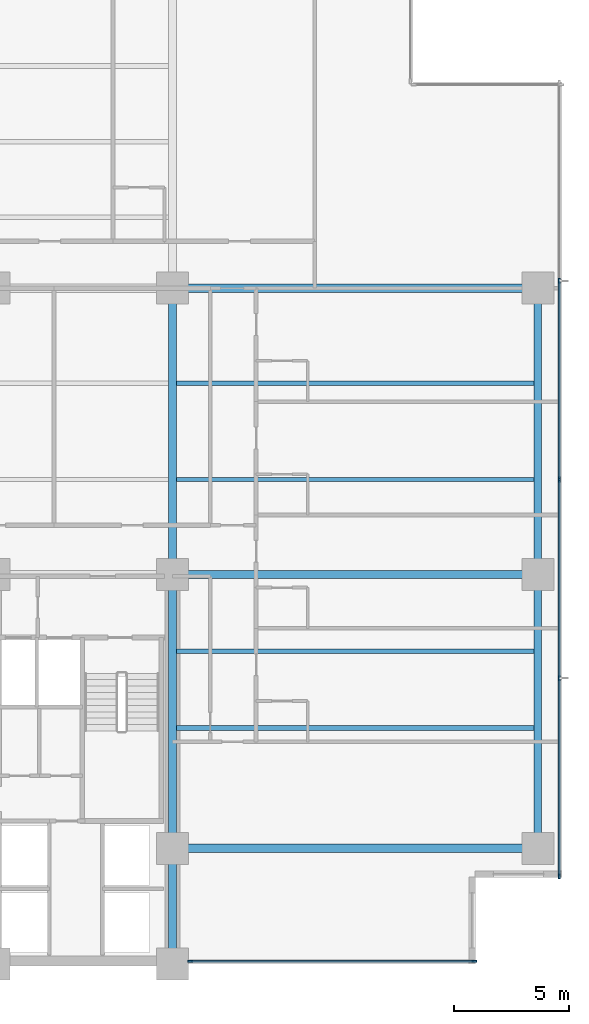
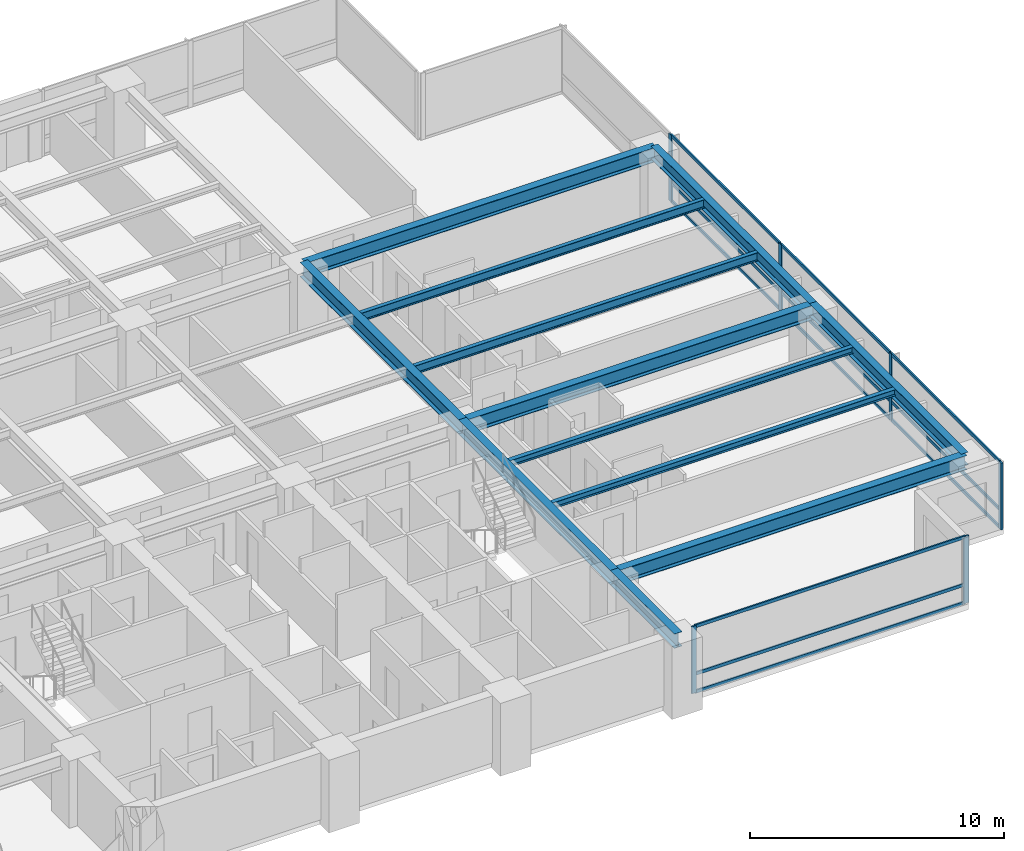
# One storey, part 3 of 17: 18 members, 12 beams, 2 elements without a shape of their own.
"""IFC4 building model written with IfcOpenShell, lengths in metres."""

from ifc_helpers import new_model, si_unit, direction, frame, origin, origin_2d, place, context, subcontext, project, spatial, rectangle, i_section, extrude, material, layer, layer_set, material_profile, profile_set, type_object, element, aggregate, save


model = new_model("IFC4")

# Units and contexts
model_context = context("Model", 3, precision=1e-05, world=origin(), true_north=direction((0.0, 1.0)))
body_context = subcontext(model_context, "Body", "Model", "MODEL_VIEW")
ifc_project = project(units=[si_unit("LENGTHUNIT", "METRE"), si_unit("AREAUNIT", "SQUARE_METRE"), si_unit("VOLUMEUNIT", "CUBIC_METRE"), si_unit("PLANEANGLEUNIT", "RADIAN"), si_unit("MASSUNIT", "GRAM", prefix="KILO")], contexts=[model_context])

# Site, building, storey
site_placement = place(None, origin())
site = spatial("IfcSite", under=ifc_project, at=site_placement, CompositionType="ELEMENT")
building_placement = place(site_placement, origin())
building = spatial("IfcBuilding", under=site, at=building_placement, Name="Qalmaran Belvedere Hotel", CompositionType="ELEMENT")
storey_placement = place(building_placement, frame((0.0, 0.0, 40.39990234375)))
storey = spatial("IfcBuildingStorey", under=building, at=storey_placement, Name="L09", CompositionType="ELEMENT", Elevation=40.39990234375)

# Beams
ifc_material_1 = material(Name="Steel S355JR", Category="steel")
ifc_material_profile_1 = material_profile(ifc_material_1, i_section(OverallWidth=0.202880859375, OverallDepth=0.302978515625, WebThickness=0.007568359375, FlangeThickness=0.01318359375, FilletRadius=0.012939453125, at=origin_2d()), Name="W310X60")
ifc_profile_set_1 = profile_set([ifc_material_profile_1], Name="Steel S355JR")
beam_type_1 = type_object("IfcBeamType", Name="BM-JST-W310X60", PredefinedType="JOIST", material=ifc_profile_set_1)
for number, where, z_axis, x_axis, name in (
    (1, (44.9755859375, 13.800048828125, 3.068603515625), (1.0, 0.0, 0.0), (0.0, 1.0, 0.0), "L09 East Wing Joist 039"),
    (2, (44.9755859375, 17.14990234375, 3.068603515625), (1.0, 0.0, 0.0), (0.0, 1.0, 0.0), "L09 East Wing Joist 041"),
):
    element("IfcBeam", number, at=place(storey_placement, frame(where, z_axis=z_axis, x_axis=x_axis)), inside=storey, type_object=beam_type_1, Name=name, PredefinedType="JOIST", context=body_context, shape_type="SweptSolid", body=[
        extrude(i_section(OverallWidth=0.202880859375, OverallDepth=0.302978515625, WebThickness=0.007568359375, FlangeThickness=0.01318359375, FilletRadius=0.012939453125, at=origin_2d()), origin(), (0.0, 0.0, 1.0), 15.61279296875),
    ])
ifc_material_profile_2 = material_profile(ifc_material_1, i_section(OverallWidth=0.180908203125, OverallDepth=0.4169921875, WebThickness=0.010986328125, FlangeThickness=0.018310546875, FilletRadius=0.014892578125, at=origin_2d()), Name="W410X85")
ifc_profile_set_2 = profile_set([ifc_material_profile_2], Name="Steel S355JR")
beam_type_2 = type_object("IfcBeamType", Name="BM-SB1-W410X85", PredefinedType="BEAM", material=ifc_profile_set_2)
for number, where, z_axis, x_axis, name in (
    (3, (44.9755859375, 24.64990234375, 3.01171875), (1.0, 0.0, 0.0), (0.0, 1.0, 0.0), "L09 East Secondary Beam 032"),
    (4, (44.9755859375, 28.85009765625, 3.01171875), (1.0, 0.0, 0.0), (0.0, 1.0, 0.0), "L09 East Secondary Beam 037"),
):
    element("IfcBeam", number, at=place(storey_placement, frame(where, z_axis=z_axis, x_axis=x_axis)), inside=storey, type_object=beam_type_2, Name=name, PredefinedType="BEAM", context=body_context, shape_type="SweptSolid", body=[
        extrude(i_section(OverallWidth=0.180908203125, OverallDepth=0.4169921875, WebThickness=0.010986328125, FlangeThickness=0.018310546875, FilletRadius=0.014892578125, at=origin_2d()), origin(), (0.0, 0.0, 1.0), 15.61279296875),
    ])
ifc_material_profile_3 = material_profile(ifc_material_1, i_section(OverallWidth=0.326904296875, OverallDepth=0.6220703125, WebThickness=0.015380859375, FlangeThickness=0.0244140625, FilletRadius=0.02001953125, at=origin_2d()), Name="W610X195")
ifc_profile_set_3 = profile_set([ifc_material_profile_3], Name="Steel S355JR")
beam_type_3 = type_object("IfcBeamType", Name="BM-SP1-W610X195", PredefinedType="SPANDREL", material=ifc_profile_set_3)
beam_1_placement = place(storey_placement, frame((60.75, 8.550048828125, 2.9091796875), z_axis=(0.0, 1.0, 0.0), x_axis=(-1.0, 0.0, 0.0)))
element("IfcBeam", 5, at=beam_1_placement, inside=storey, type_object=beam_type_3, Name="L09 Perimeter Spandrel 03", PredefinedType="SPANDREL", context=body_context, shape_type="SweptSolid", body=[
    extrude(i_section(OverallWidth=0.326904296875, OverallDepth=0.6220703125, WebThickness=0.015380859375, FlangeThickness=0.0244140625, FilletRadius=0.02001953125, at=origin_2d()), origin(), (0.0, 0.0, 1.0), 11.949951171875),
])
beam_2_placement = place(storey_placement, frame((60.75, 20.5, 2.9091796875), z_axis=(0.0, 1.0, 0.0), x_axis=(-1.0, 0.0, 0.0)))
element("IfcBeam", 6, at=beam_2_placement, inside=storey, type_object=beam_type_3, Name="L09 Perimeter Spandrel 04", PredefinedType="SPANDREL", context=body_context, shape_type="SweptSolid", body=[
    extrude(i_section(OverallWidth=0.326904296875, OverallDepth=0.6220703125, WebThickness=0.015380859375, FlangeThickness=0.0244140625, FilletRadius=0.02001953125, at=origin_2d()), origin(), (0.0, 0.0, 1.0), 12.5),
])
ifc_material_profile_4 = material_profile(ifc_material_1, i_section(OverallWidth=0.35498046875, OverallDepth=0.695068359375, WebThickness=0.015380859375, FlangeThickness=0.02490234375, FilletRadius=0.02197265625, at=origin_2d()), Name="W690X217")
ifc_profile_set_4 = profile_set([ifc_material_profile_4], Name="Steel S355JR")
beam_type_4 = type_object("IfcBeamType", Name="BM-Z1-W690X217", PredefinedType="USERDEFINED", material=ifc_profile_set_4)
beam_3_placement = place(storey_placement, frame((44.800048828125, 20.5, 2.87255859375), z_axis=(0.0, 1.0, 0.0), x_axis=(-1.0, 0.0, 0.0)))
element("IfcBeam", 7, at=beam_3_placement, inside=storey, type_object=beam_type_4, Name="L09 Mid-Plate N-S Girder 20", ObjectType="GIRDER", PredefinedType="USERDEFINED", context=body_context, shape_type="SweptSolid", body=[
    extrude(i_section(OverallWidth=0.35498046875, OverallDepth=0.695068359375, WebThickness=0.015380859375, FlangeThickness=0.02490234375, FilletRadius=0.02197265625, at=origin_2d()), origin(), (0.0, 0.0, 1.0), 12.5),
])
beam_4_placement = place(storey_placement, frame((44.800048828125, 3.5, 2.87255859375), z_axis=(0.0, 1.0, 0.0), x_axis=(-1.0, 0.0, 0.0)))
element("IfcBeam", 8, at=beam_4_placement, inside=storey, type_object=beam_type_4, Name="L09 East Core Edge Girder A", ObjectType="GIRDER", PredefinedType="USERDEFINED", context=body_context, shape_type="SweptSolid", body=[
    extrude(i_section(OverallWidth=0.35498046875, OverallDepth=0.695068359375, WebThickness=0.015380859375, FlangeThickness=0.02490234375, FilletRadius=0.02197265625, at=origin_2d()), origin(), (0.0, 0.0, 1.0), 5.050048828125),
])
beam_5_placement = place(storey_placement, frame((44.800048828125, 8.550048828125, 2.87255859375), z_axis=(0.0, 1.0, 0.0), x_axis=(-1.0, 0.0, 0.0)))
element("IfcBeam", 9, at=beam_5_placement, inside=storey, type_object=beam_type_4, Name="L09 East Core Edge Girder B", ObjectType="GIRDER", PredefinedType="USERDEFINED", context=body_context, shape_type="SweptSolid", body=[
    extrude(i_section(OverallWidth=0.35498046875, OverallDepth=0.695068359375, WebThickness=0.015380859375, FlangeThickness=0.02490234375, FilletRadius=0.02197265625, at=origin_2d()), origin(), (0.0, 0.0, 1.0), 11.949951171875),
])
for number, where, z_axis, x_axis, name in (
    (10, (44.800048828125, 8.550048828125, 2.87255859375), (1.0, 0.0, 0.0), (0.0, 1.0, 0.0), "L09 East Wing Girder 25"),
    (11, (44.800048828125, 20.5, 2.87255859375), (1.0, 0.0, 0.0), (0.0, 1.0, 0.0), "L09 East Wing Girder 26"),
    (12, (44.800048828125, 33.0, 2.87255859375), (1.0, 0.0, 0.0), (0.0, 1.0, 0.0), "L09 East Wing Girder 27"),
):
    element("IfcBeam", number, at=place(storey_placement, frame(where, z_axis=z_axis, x_axis=x_axis)), inside=storey, type_object=beam_type_4, Name=name, ObjectType="GIRDER", PredefinedType="USERDEFINED", context=body_context, shape_type="SweptSolid", body=[
        extrude(i_section(OverallWidth=0.35498046875, OverallDepth=0.695068359375, WebThickness=0.015380859375, FlangeThickness=0.02490234375, FilletRadius=0.02197265625, at=origin_2d()), origin(), (0.0, 0.0, 1.0), 15.949951171875),
    ])

# Curtain wall, members
ifc_material_2 = material(Name="Anodised Bronze Aluminium", Category="aluminium")
ifc_layer = layer(ifc_material_2, 0.2099609375, Name="Anodised Bronze Aluminium")
ifc_layer_set = layer_set([ifc_layer], Name="Anodised Bronze Aluminium")
curtain_wall_type = type_object("IfcCurtainWallType", Name="CW2-TOWER-LOWER", PredefinedType="NOTDEFINED", material=ifc_layer_set)
curtain_wall_1_placement = place(storey_placement, origin())
curtain_wall_1 = element("IfcCurtainWall", 13, at=curtain_wall_1_placement, inside=storey, type_object=curtain_wall_type, Name="L09 Curtain Wall CW2", PredefinedType="NOTDEFINED")
ifc_material_profile_5 = material_profile(ifc_material_2, rectangle(XDim=0.074951171875, YDim=0.219970703125, at=origin_2d()), Name="CWM75X220")
ifc_profile_set_5 = profile_set([ifc_material_profile_5], Name="Anodised Bronze Aluminium")
member_type_1 = type_object("IfcMemberType", Name="CWM-75X220", PredefinedType="MULLION", material=ifc_profile_set_5)
member_1_placement = place(storey_placement, frame((45.577392578125, 3.6201171875, 0.0), z_axis=(0.0, 0.0, 1.0), x_axis=(0.0, 1.0, 0.0)))
member_1 = element("IfcMember", 14, at=member_1_placement, type_object=member_type_1, Name="CW2 mullion 1", PredefinedType="MULLION", context=body_context, shape_type="SweptSolid", body=[
    extrude(rectangle(XDim=0.074951171875, YDim=0.219970703125, at=origin_2d()), origin(), (0.0, 0.0, 1.0), 3.22021484375),
])
member_2_placement = place(storey_placement, frame((57.96240234375, 3.6201171875, 0.0), z_axis=(0.0, 0.0, 1.0), x_axis=(0.0, 1.0, 0.0)))
member_2 = element("IfcMember", 15, at=member_2_placement, type_object=member_type_1, Name="CW2 mullion 2", PredefinedType="MULLION", context=body_context, shape_type="SweptSolid", body=[
    extrude(rectangle(XDim=0.074951171875, YDim=0.219970703125, at=origin_2d()), origin(), (0.0, 0.0, 1.0), 3.22021484375),
])

curtain_wall_2_placement = place(storey_placement, origin())
curtain_wall_2 = element("IfcCurtainWall", 16, at=curtain_wall_2_placement, inside=storey, type_object=curtain_wall_type, Name="L09 Curtain Wall CW2", PredefinedType="NOTDEFINED")
member_3_placement = place(storey_placement, frame((61.679931640625, 7.33740234375, 0.0), z_axis=(0.0, 0.0, 1.0), x_axis=(-1.0, 0.0, 0.0)))
member_3 = element("IfcMember", 17, at=member_3_placement, type_object=member_type_1, Name="CW2 mullion 1", PredefinedType="MULLION", context=body_context, shape_type="SweptSolid", body=[
    extrude(rectangle(XDim=0.074951171875, YDim=0.219970703125, at=origin_2d()), origin(), (0.0, 0.0, 1.0), 3.22021484375),
])
member_4_placement = place(storey_placement, frame((61.679931640625, 15.97509765625, 0.0), z_axis=(0.0, 0.0, 1.0), x_axis=(-1.0, 0.0, 0.0)))
member_4 = element("IfcMember", 18, at=member_4_placement, type_object=member_type_1, Name="CW2 mullion 2", PredefinedType="MULLION", context=body_context, shape_type="SweptSolid", body=[
    extrude(rectangle(XDim=0.074951171875, YDim=0.219970703125, at=origin_2d()), origin(), (0.0, 0.0, 1.0), 3.22021484375),
])
member_5_placement = place(storey_placement, frame((61.679931640625, 24.64990234375, 0.0), z_axis=(0.0, 0.0, 1.0), x_axis=(-1.0, 0.0, 0.0)))
member_5 = element("IfcMember", 19, at=member_5_placement, type_object=member_type_1, Name="CW2 mullion 3", PredefinedType="MULLION", context=body_context, shape_type="SweptSolid", body=[
    extrude(rectangle(XDim=0.074951171875, YDim=0.219970703125, at=origin_2d()), origin(), (0.0, 0.0, 1.0), 3.22021484375),
])
member_6_placement = place(storey_placement, frame((61.679931640625, 33.324951171875, 0.0), z_axis=(0.0, 0.0, 1.0), x_axis=(-1.0, 0.0, 0.0)))
member_6 = element("IfcMember", 20, at=member_6_placement, type_object=member_type_1, Name="CW2 mullion 4", PredefinedType="MULLION", context=body_context, shape_type="SweptSolid", body=[
    extrude(rectangle(XDim=0.074951171875, YDim=0.219970703125, at=origin_2d()), origin(), (0.0, 0.0, 1.0), 3.22021484375),
])

# Member
ifc_material_profile_6 = material_profile(ifc_material_2, rectangle(XDim=0.070068359375, YDim=0.14990234375, at=origin_2d()), Name="CWT70X150")
ifc_profile_set_6 = profile_set([ifc_material_profile_6], Name="Anodised Bronze Aluminium")
member_type_2 = type_object("IfcMemberType", Name="CWT-70X150", PredefinedType="USERDEFINED", material=ifc_profile_set_6)
member_7_placement = place(storey_placement, frame((45.614990234375, 3.6201171875, 0.03515625), z_axis=(1.0, 0.0, 0.0), x_axis=(0.0, 1.0, 0.0)))
member_7 = element("IfcMember", 21, at=member_7_placement, type_object=member_type_2, Name="CW2 transom 1.1", ObjectType="TRANSOM", PredefinedType="USERDEFINED", context=body_context, shape_type="SweptSolid", body=[
    extrude(rectangle(XDim=0.070068359375, YDim=0.14990234375, at=origin_2d()), origin(), (0.0, 0.0, 1.0), 12.31005859375),
])

member_8_placement = place(storey_placement, frame((45.614990234375, 3.6201171875, 0.901611328125), z_axis=(1.0, 0.0, 0.0), x_axis=(0.0, 1.0, 0.0)))
member_8 = element("IfcMember", 22, at=member_8_placement, type_object=member_type_2, Name="CW2 transom 1.2", ObjectType="TRANSOM", PredefinedType="USERDEFINED", context=body_context, shape_type="SweptSolid", body=[
    extrude(rectangle(XDim=0.070068359375, YDim=0.14990234375, at=origin_2d()), origin(), (0.0, 0.0, 1.0), 12.31005859375),
])

member_9_placement = place(storey_placement, frame((45.614990234375, 3.6201171875, 3.18505859375), z_axis=(1.0, 0.0, 0.0), x_axis=(0.0, 1.0, 0.0)))
member_9 = element("IfcMember", 23, at=member_9_placement, type_object=member_type_2, Name="CW2 transom 1.3", ObjectType="TRANSOM", PredefinedType="USERDEFINED", context=body_context, shape_type="SweptSolid", body=[
    extrude(rectangle(XDim=0.070068359375, YDim=0.14990234375, at=origin_2d()), origin(), (0.0, 0.0, 1.0), 12.31005859375),
])

aggregate(curtain_wall_1, [member_1, member_2, member_7, member_8, member_9])

member_10_placement = place(storey_placement, frame((61.679931640625, 7.375, 0.03515625), z_axis=(0.0, 1.0, 0.0), x_axis=(-1.0, 0.0, 0.0)))
member_10 = element("IfcMember", 24, at=member_10_placement, type_object=member_type_2, Name="CW2 transom 1.1", ObjectType="TRANSOM", PredefinedType="USERDEFINED", context=body_context, shape_type="SweptSolid", body=[
    extrude(rectangle(XDim=0.070068359375, YDim=0.14990234375, at=origin_2d()), origin(), (0.0, 0.0, 1.0), 8.5625),
])

member_11_placement = place(storey_placement, frame((61.679931640625, 7.375, 0.901611328125), z_axis=(0.0, 1.0, 0.0), x_axis=(-1.0, 0.0, 0.0)))
member_11 = element("IfcMember", 25, at=member_11_placement, type_object=member_type_2, Name="CW2 transom 1.2", ObjectType="TRANSOM", PredefinedType="USERDEFINED", context=body_context, shape_type="SweptSolid", body=[
    extrude(rectangle(XDim=0.070068359375, YDim=0.14990234375, at=origin_2d()), origin(), (0.0, 0.0, 1.0), 8.5625),
])

member_12_placement = place(storey_placement, frame((61.679931640625, 7.375, 3.18505859375), z_axis=(0.0, 1.0, 0.0), x_axis=(-1.0, 0.0, 0.0)))
member_12 = element("IfcMember", 26, at=member_12_placement, type_object=member_type_2, Name="CW2 transom 1.3", ObjectType="TRANSOM", PredefinedType="USERDEFINED", context=body_context, shape_type="SweptSolid", body=[
    extrude(rectangle(XDim=0.070068359375, YDim=0.14990234375, at=origin_2d()), origin(), (0.0, 0.0, 1.0), 8.5625),
])

member_13_placement = place(storey_placement, frame((61.679931640625, 16.012451171875, 0.03515625), z_axis=(0.0, 1.0, 0.0), x_axis=(-1.0, 0.0, 0.0)))
member_13 = element("IfcMember", 27, at=member_13_placement, type_object=member_type_2, Name="CW2 transom 2.1", ObjectType="TRANSOM", PredefinedType="USERDEFINED", context=body_context, shape_type="SweptSolid", body=[
    extrude(rectangle(XDim=0.070068359375, YDim=0.14990234375, at=origin_2d()), origin(), (0.0, 0.0, 1.0), 8.60009765625),
])

member_14_placement = place(storey_placement, frame((61.679931640625, 16.012451171875, 0.901611328125), z_axis=(0.0, 1.0, 0.0), x_axis=(-1.0, 0.0, 0.0)))
member_14 = element("IfcMember", 28, at=member_14_placement, type_object=member_type_2, Name="CW2 transom 2.2", ObjectType="TRANSOM", PredefinedType="USERDEFINED", context=body_context, shape_type="SweptSolid", body=[
    extrude(rectangle(XDim=0.070068359375, YDim=0.14990234375, at=origin_2d()), origin(), (0.0, 0.0, 1.0), 8.60009765625),
])

member_15_placement = place(storey_placement, frame((61.679931640625, 16.012451171875, 3.18505859375), z_axis=(0.0, 1.0, 0.0), x_axis=(-1.0, 0.0, 0.0)))
member_15 = element("IfcMember", 29, at=member_15_placement, type_object=member_type_2, Name="CW2 transom 2.3", ObjectType="TRANSOM", PredefinedType="USERDEFINED", context=body_context, shape_type="SweptSolid", body=[
    extrude(rectangle(XDim=0.070068359375, YDim=0.14990234375, at=origin_2d()), origin(), (0.0, 0.0, 1.0), 8.60009765625),
])

member_16_placement = place(storey_placement, frame((61.679931640625, 24.6875, 0.03515625), z_axis=(0.0, 1.0, 0.0), x_axis=(-1.0, 0.0, 0.0)))
member_16 = element("IfcMember", 30, at=member_16_placement, type_object=member_type_2, Name="CW2 transom 3.1", ObjectType="TRANSOM", PredefinedType="USERDEFINED", context=body_context, shape_type="SweptSolid", body=[
    extrude(rectangle(XDim=0.070068359375, YDim=0.14990234375, at=origin_2d()), origin(), (0.0, 0.0, 1.0), 8.60009765625),
])

member_17_placement = place(storey_placement, frame((61.679931640625, 24.6875, 0.901611328125), z_axis=(0.0, 1.0, 0.0), x_axis=(-1.0, 0.0, 0.0)))
member_17 = element("IfcMember", 31, at=member_17_placement, type_object=member_type_2, Name="CW2 transom 3.2", ObjectType="TRANSOM", PredefinedType="USERDEFINED", context=body_context, shape_type="SweptSolid", body=[
    extrude(rectangle(XDim=0.070068359375, YDim=0.14990234375, at=origin_2d()), origin(), (0.0, 0.0, 1.0), 8.60009765625),
])

member_18_placement = place(storey_placement, frame((61.679931640625, 24.6875, 3.18505859375), z_axis=(0.0, 1.0, 0.0), x_axis=(-1.0, 0.0, 0.0)))
member_18 = element("IfcMember", 32, at=member_18_placement, type_object=member_type_2, Name="CW2 transom 3.3", ObjectType="TRANSOM", PredefinedType="USERDEFINED", context=body_context, shape_type="SweptSolid", body=[
    extrude(rectangle(XDim=0.070068359375, YDim=0.14990234375, at=origin_2d()), origin(), (0.0, 0.0, 1.0), 8.60009765625),
])

aggregate(curtain_wall_2, [member_3, member_4, member_5, member_6, member_10, member_11, member_12, member_13, member_14, member_15, member_16, member_17, member_18])

save(model, "model.ifc")
